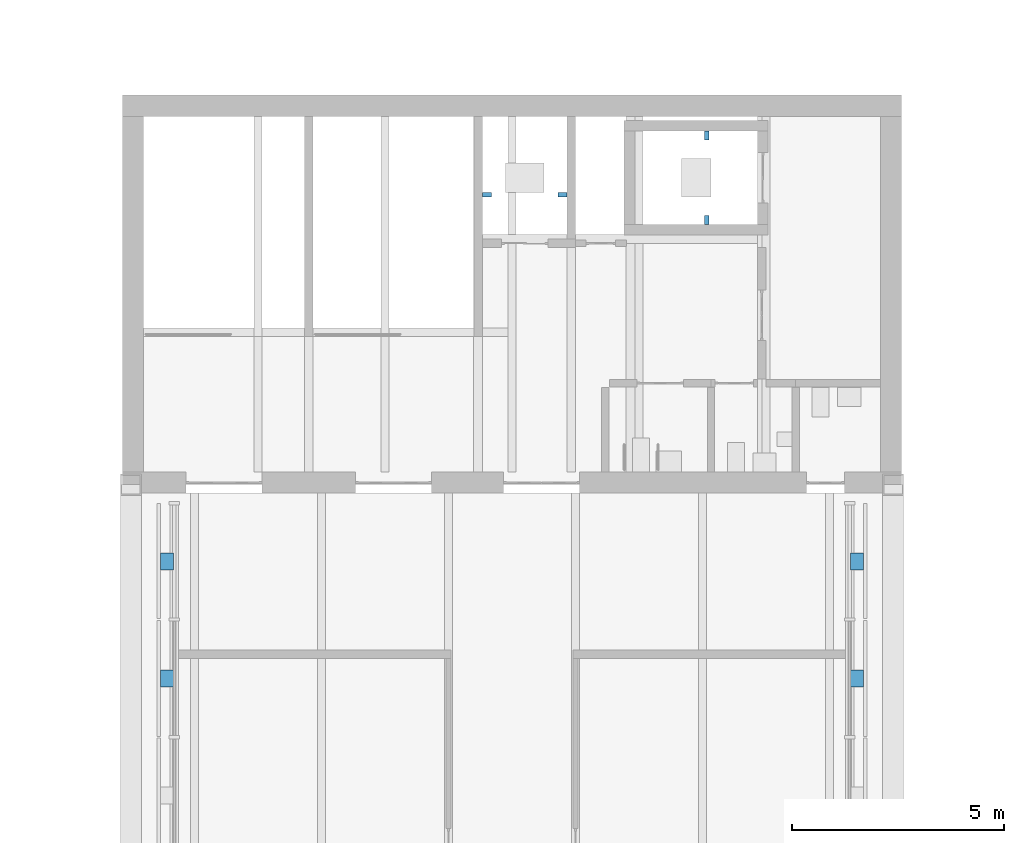
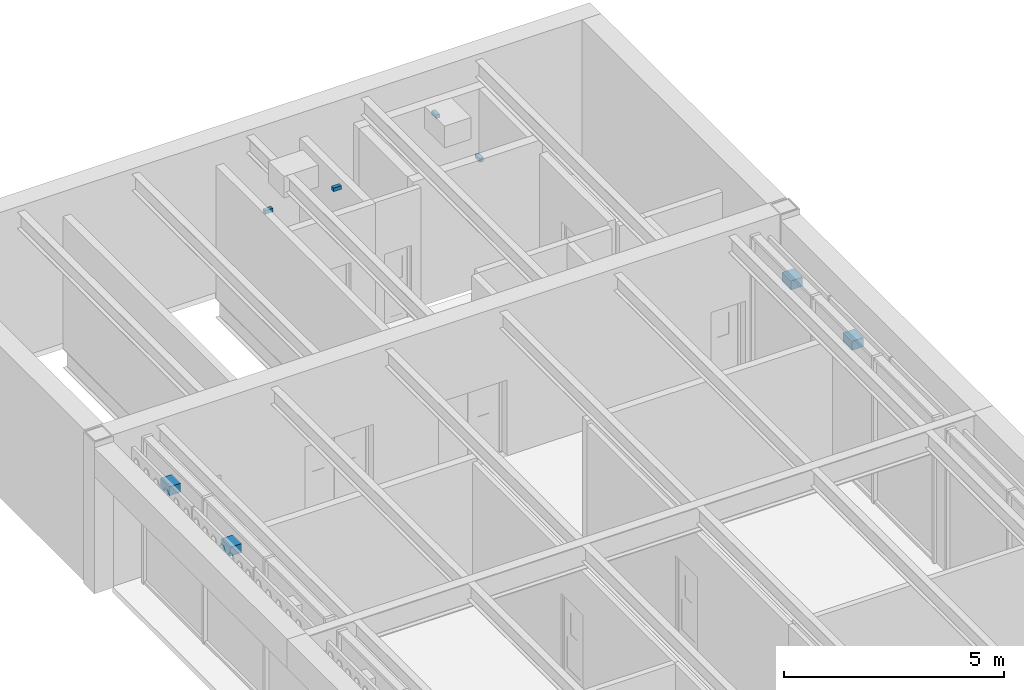
# One storey, part 31 of 43: 8 discrete accessories.
"""IFC4 building model written with IfcOpenShell, lengths in metres."""

from ifc_helpers import new_model, si_unit, direction, frame, origin, origin_2d, place, context, subcontext, project, spatial, rectangle, extrude, material, type_object, element, save


model = new_model("IFC4")

# Units and contexts
model_context = context("Model", 3, precision=1e-05, world=origin(), true_north=direction((0.0, 1.0)))
body_context = subcontext(model_context, "Body", "Model", "MODEL_VIEW")
ifc_project = project(units=[si_unit("LENGTHUNIT", "METRE"), si_unit("AREAUNIT", "SQUARE_METRE"), si_unit("VOLUMEUNIT", "CUBIC_METRE"), si_unit("PLANEANGLEUNIT", "RADIAN"), si_unit("MASSUNIT", "GRAM", prefix="KILO")], contexts=[model_context])

# Site, building, storey
site_placement = place(None, origin())
site = spatial("IfcSite", under=ifc_project, at=site_placement, CompositionType="ELEMENT")
building_placement = place(site_placement, origin())
building = spatial("IfcBuilding", under=site, at=building_placement, Name="Baradari Gate Terminus", CompositionType="ELEMENT")
storey_placement = place(building_placement, frame((0.0, 0.0, 20.10009765625)))
storey = spatial("IfcBuildingStorey", under=building, at=storey_placement, Name="L04", CompositionType="ELEMENT", Elevation=20.10009765625)

# Discrete accessories
ifc_material_1 = material(Name="Stainless steel 316", Category="steel")
discrete_accessory_type_1 = type_object("IfcDiscreteAccessoryType", Name="Jali screen bracket BK-2 stainless steel", PredefinedType="BRACKET", material=ifc_material_1)
for number, where, z_axis, x_axis, name in (
    (1, (72.8525390625, 76.425048828125, 3.454833984375), (0.0, 0.0, 1.0), (-1.0, 0.0, 0.0), "Jali screen bracket BK-2 L04/GW5 bay 2"),
    (2, (72.8525390625, 79.188232421875, 3.454833984375), (0.0, 0.0, 1.0), (-1.0, 0.0, 0.0), "Jali screen bracket BK-2 L04/GW5 bay 3"),
    (3, (89.1474609375, 76.425048828125, 3.454833984375), (0.0, 0.0, 1.0), (1.0, 0.0, 0.0), "Jali screen bracket BK-2 L04/GE5 bay 2"),
    (4, (89.1474609375, 79.188232421875, 3.454833984375), (0.0, 0.0, 1.0), (1.0, 0.0, 0.0), "Jali screen bracket BK-2 L04/GE5 bay 3"),
):
    element("IfcDiscreteAccessory", number, at=place(storey_placement, frame(where, z_axis=z_axis, x_axis=x_axis)), inside=storey, type_object=discrete_accessory_type_1, Name=name, PredefinedType="BRACKET", context=body_context, shape_type="SweptSolid", body=[
        extrude(rectangle(XDim=0.304931640625, YDim=0.39990234375, at=origin_2d()), origin(), (0.0, 0.0, 1.0), 0.25),
    ])
ifc_material_2 = material(Name="Steel S355", Category="steel")
discrete_accessory_type_2 = type_object("IfcDiscreteAccessoryType", Name="Lift rail bracket RB-L1 100x100", PredefinedType="BRACKET", material=ifc_material_2)
for number, where, z_axis, x_axis, name in (
    (5, (80.405029296875, 87.85009765625, 3.249755859375), (0.0, 0.0, 1.0), (1.0, 0.0, 0.0), "Lift rail bracket LGN1 1B"),
    (6, (82.195068359375, 87.85009765625, 3.249755859375), (0.0, 0.0, 1.0), (1.0, 0.0, 0.0), "Lift rail bracket LGN1 2B"),
):
    element("IfcDiscreteAccessory", number, at=place(storey_placement, frame(where, z_axis=z_axis, x_axis=x_axis)), inside=storey, type_object=discrete_accessory_type_2, Name=name, PredefinedType="BRACKET", context=body_context, shape_type="SweptSolid", body=[
        extrude(rectangle(XDim=0.2099609375, YDim=0.10009765625, at=origin_2d()), origin(), (0.0, 0.0, 1.0), 0.10009765625),
    ])
for number, where, z_axis, x_axis, name in (
    (7, (85.60009765625, 87.2548828125, 3.249755859375), (0.0, 0.0, 1.0), (1.0, 0.0, 0.0), "Lift rail bracket LGN2 1B"),
    (8, (85.60009765625, 89.2451171875, 3.249755859375), (0.0, 0.0, 1.0), (1.0, 0.0, 0.0), "Lift rail bracket LGN2 2B"),
):
    element("IfcDiscreteAccessory", number, at=place(storey_placement, frame(where, z_axis=z_axis, x_axis=x_axis)), inside=storey, type_object=discrete_accessory_type_2, Name=name, PredefinedType="BRACKET", context=body_context, shape_type="SweptSolid", body=[
        extrude(rectangle(XDim=0.10009765625, YDim=0.2099609375, at=origin_2d()), origin(), (0.0, 0.0, 1.0), 0.10009765625),
    ])

save(model, "model.ifc")
